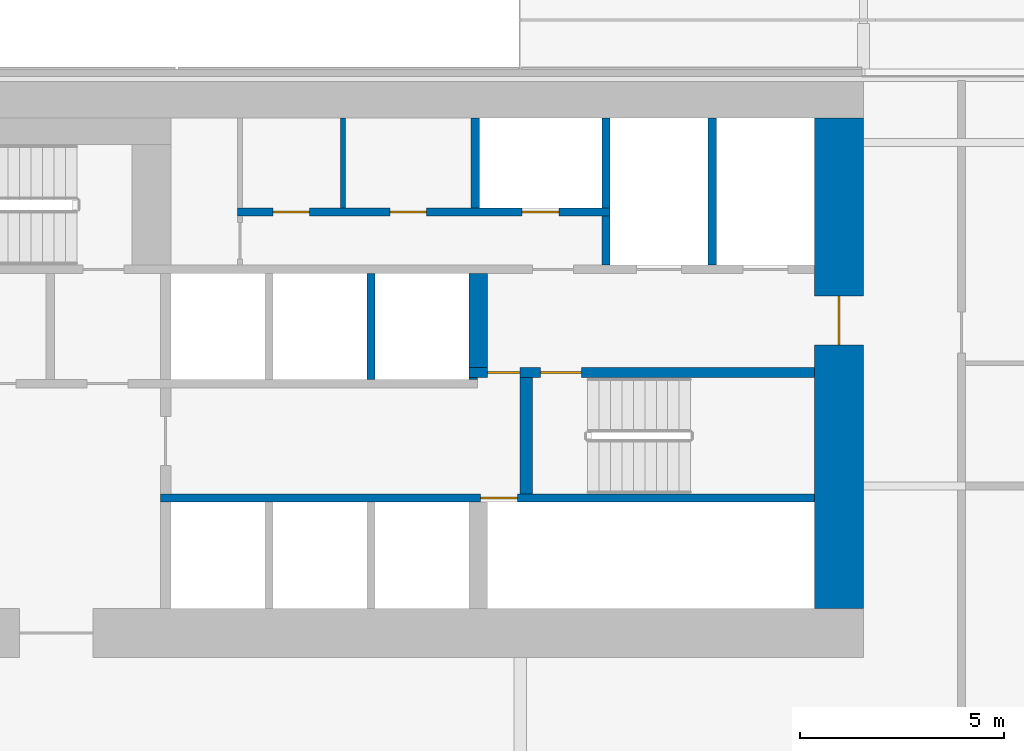
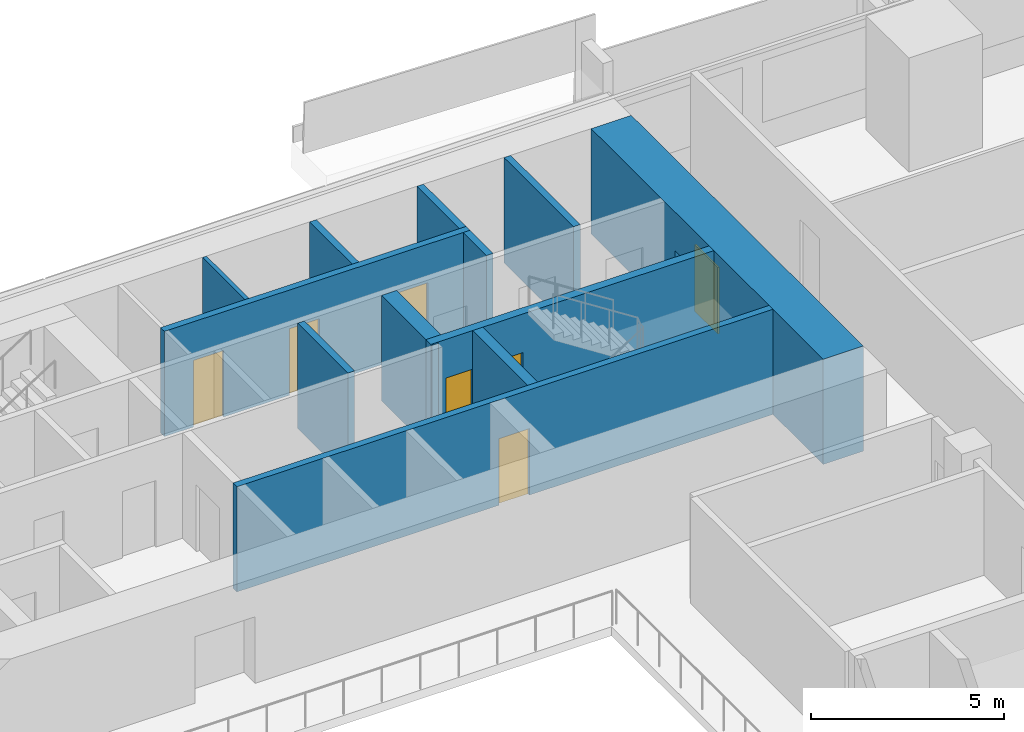
# One storey, part 22 of 30: 13 walls, 7 doors, 7 openings.
"""IFC4 building model written with IfcOpenShell, lengths in metres."""

from ifc_helpers import new_model, si_unit, direction, frame, frame_2d, origin, place, context, subcontext, project, spatial, rectangle, extrude, material, layer, layer_set, type_object, element, fill, save


model = new_model("IFC4")

# Units and contexts
model_context = context("Model", 3, precision=1e-05, world=origin(), true_north=direction((0.0, 1.0)))
body_context = subcontext(model_context, "Body", "Model", "MODEL_VIEW")
ifc_project = project(units=[si_unit("LENGTHUNIT", "METRE"), si_unit("AREAUNIT", "SQUARE_METRE"), si_unit("VOLUMEUNIT", "CUBIC_METRE"), si_unit("PLANEANGLEUNIT", "RADIAN"), si_unit("MASSUNIT", "GRAM", prefix="KILO")], contexts=[model_context])

# Site, building, storey
site_placement = place(None, origin())
site = spatial("IfcSite", under=ifc_project, at=site_placement, CompositionType="ELEMENT")
building_placement = place(site_placement, origin())
building = spatial("IfcBuilding", under=site, at=building_placement, Name="Saffron Gate Tower", CompositionType="ELEMENT")
storey_placement = place(building_placement, frame((0.0, 0.0, 37.199951171875)))
storey = spatial("IfcBuildingStorey", under=building, at=storey_placement, Name="L07", CompositionType="ELEMENT", Elevation=37.199951171875)

# Wall, opening, door
ifc_material_1 = material(Name="Concrete C70", Category="concrete")
ifc_layer_1 = layer(ifc_material_1, 1.199951171875)
ifc_layer_set_1 = layer_set([ifc_layer_1], Name="CW1 RC core wall 1200 C70")
wall_type_1 = type_object("IfcWallType", Name="CW1 RC core wall 1200 C70", PredefinedType="SOLIDWALL", material=ifc_layer_set_1)
wall_1_placement = place(storey_placement, frame((108.0, 62.39990234375, 0.0), z_axis=(0.0, 0.0, 1.0), x_axis=(0.0, 1.0, 0.0)))
wall_1 = element("IfcWall", 1, at=wall_1_placement, inside=storey, type_object=wall_type_1, Name="Wall CW1-L07-4", PredefinedType="SOLIDWALL", context=body_context, shape_type="SweptSolid", body=[
    extrude(rectangle(XDim=12.0, YDim=1.199951171875, at=frame_2d((6.0, 0.0))), origin(), (0.0, 0.0, 1.0), 3.320068359375),
])
opening_1_placement = place(wall_1_placement, frame((6.449951171875, 0.0, 0.0)))
opening_1 = element("IfcOpeningElement", 2, at=opening_1_placement, cuts=wall_1, Name="Opening CR-08", PredefinedType="OPENING", context=body_context, shape_type="SweptSolid", body=[
    extrude(rectangle(XDim=1.199951171875, YDim=2.10009765625, at=frame_2d((0.60009765625, 1.050048828125))), frame((0.0, 0.60986328125, 0.0), z_axis=(0.0, -1.0, 0.0), x_axis=(1.0, 0.0, 0.0)), (0.0, 0.0, 1.0), 1.219970703125),
])
ifc_material_2 = material(Name="Steel fire door set", Category="steel")
door_type_1 = type_object("IfcDoorType", Name="CD7 Core entrance door 1200x2100 EI 120", OperationType="NOTDEFINED", PredefinedType="DOOR", material=ifc_material_2)
door_1_placement = place(opening_1_placement, origin())
door_1 = element("IfcDoor", 3, at=door_1_placement, inside=storey, type_object=door_type_1, Name="DOOR CR-08", OperationType="SINGLE_SWING_RIGHT", OverallHeight=2.10009765625, OverallWidth=1.199951171875, PredefinedType="DOOR", context=body_context, shape_type="SweptSolid", body=[
    extrude(rectangle(XDim=1.199951171875, YDim=2.10009765625, at=frame_2d((0.60009765625, 1.050048828125))), frame((0.0, 0.02490234375, 0.0), z_axis=(0.0, -1.0, 0.0), x_axis=(1.0, 0.0, 0.0)), (0.0, 0.0, 1.0), 0.050048828125),
])
fill(opening_1, door_1)

# Wall, openings, doors
ifc_layer_2 = layer(ifc_material_1, 0.25)
ifc_layer_set_2 = layer_set([ifc_layer_2], Name="CW2 RC core wall 250 C70")
wall_type_2 = type_object("IfcWallType", Name="CW2 RC core wall 250 C70", PredefinedType="SOLIDWALL", material=ifc_layer_set_2)
wall_2_placement = place(storey_placement, frame((98.949951171875, 68.175048828125, 0.0), z_axis=(0.0, 0.0, 1.0), x_axis=(1.0, 0.0, 0.0)))
wall_2 = element("IfcWall", 4, at=wall_2_placement, inside=storey, type_object=wall_type_2, Name="Wall CW2-L07-31", PredefinedType="SOLIDWALL", context=body_context, shape_type="SweptSolid", body=[
    extrude(rectangle(XDim=8.449951171875, YDim=0.25, at=frame_2d((4.22509765625, 0.0))), origin(), (0.0, 0.0, 1.0), 3.320068359375),
])
opening_2_placement = place(wall_2_placement, frame((0.449951171875, 0.0, 0.0)))
opening_2 = element("IfcOpeningElement", 5, at=opening_2_placement, cuts=wall_2, Name="Opening CR-05", PredefinedType="OPENING", context=body_context, shape_type="SweptSolid", body=[
    extrude(rectangle(XDim=0.800048828125, YDim=2.10009765625, at=frame_2d((0.39990234375, 1.050048828125))), frame((0.0, 0.135009765625, 0.0), z_axis=(0.0, -1.0, 0.0), x_axis=(1.0, 0.0, 0.0)), (0.0, 0.0, 1.0), 0.27001953125),
])
opening_3_placement = place(wall_2_placement, frame((1.75, 0.0, 0.0)))
opening_3 = element("IfcOpeningElement", 6, at=opening_3_placement, cuts=wall_2, Name="Opening CR-16", PredefinedType="OPENING", context=body_context, shape_type="SweptSolid", body=[
    extrude(rectangle(XDim=1.0, YDim=2.10009765625, at=frame_2d((0.5, 1.050048828125))), frame((0.0, 0.135009765625, 0.0), z_axis=(0.0, -1.0, 0.0), x_axis=(1.0, 0.0, 0.0)), (0.0, 0.0, 1.0), 0.27001953125),
])
door_type_2 = type_object("IfcDoorType", Name="CD5 Stair door 1000x2100 EI 120", OperationType="NOTDEFINED", PredefinedType="DOOR", material=ifc_material_2)
door_2_placement = place(opening_3_placement, origin())
door_2 = element("IfcDoor", 7, at=door_2_placement, inside=storey, type_object=door_type_2, Name="DOOR CR-16", OperationType="SINGLE_SWING_RIGHT", OverallHeight=2.10009765625, OverallWidth=1.0, PredefinedType="DOOR", context=body_context, shape_type="SweptSolid", body=[
    extrude(rectangle(XDim=1.0, YDim=2.10009765625, at=frame_2d((0.5, 1.050048828125))), frame((0.0, 0.02490234375, 0.0), z_axis=(0.0, -1.0, 0.0), x_axis=(1.0, 0.0, 0.0)), (0.0, 0.0, 1.0), 0.050048828125),
])
fill(opening_3, door_2)
door_type_3 = type_object("IfcDoorType", Name="CD6 Lobby door 800x2100 EI 120", OperationType="NOTDEFINED", PredefinedType="DOOR", material=ifc_material_2)
door_3_placement = place(opening_2_placement, origin())
door_3 = element("IfcDoor", 8, at=door_3_placement, inside=storey, type_object=door_type_3, Name="DOOR CR-05", OperationType="SINGLE_SWING_LEFT", OverallHeight=2.10009765625, OverallWidth=0.800048828125, PredefinedType="DOOR", context=body_context, shape_type="SweptSolid", body=[
    extrude(rectangle(XDim=0.800048828125, YDim=2.10009765625, at=frame_2d((0.39990234375, 1.050048828125))), frame((0.0, 0.02490234375, 0.0), z_axis=(0.0, -1.0, 0.0), x_axis=(1.0, 0.0, 0.0)), (0.0, 0.0, 1.0), 0.050048828125),
])
fill(opening_2, door_3)

# Wall, opening, door
ifc_layer_3 = layer(ifc_material_1, 0.199951171875)
ifc_layer_set_3 = layer_set([ifc_layer_3], Name="CW3 RC core wall 200 C70")
wall_type_3 = type_object("IfcWallType", Name="CW3 RC core wall 200 C70", PredefinedType="SOLIDWALL", material=ifc_layer_set_3)
wall_3_placement = place(storey_placement, frame((91.39990234375, 65.10009765625, 0.0), z_axis=(0.0, 0.0, 1.0), x_axis=(1.0, 0.0, 0.0)))
wall_3 = element("IfcWall", 9, at=wall_3_placement, inside=storey, type_object=wall_type_3, Name="Wall CW3-L07-15", PredefinedType="SOLIDWALL", context=body_context, shape_type="SweptSolid", body=[
    extrude(rectangle(XDim=16.0, YDim=0.199951171875, at=frame_2d((8.0, 0.0))), origin(), (0.0, 0.0, 1.0), 3.320068359375),
])
opening_4_placement = place(wall_3_placement, frame((7.830078125, 0.0, 0.0)))
opening_4 = element("IfcOpeningElement", 10, at=opening_4_placement, cuts=wall_3, Name="Opening CR-48", PredefinedType="OPENING", context=body_context, shape_type="SweptSolid", body=[
    extrude(rectangle(XDim=0.89990234375, YDim=2.10009765625, at=frame_2d((0.449951171875, 1.050048828125))), frame((0.0, 0.10986328125, 0.0), z_axis=(0.0, -1.0, 0.0), x_axis=(1.0, 0.0, 0.0)), (0.0, 0.0, 1.0), 0.219970703125),
])
door_type_4 = type_object("IfcDoorType", Name="CD2 Riser door 900x2100 EI 60", OperationType="NOTDEFINED", PredefinedType="DOOR", material=ifc_material_2)
door_4_placement = place(opening_4_placement, origin())
door_4 = element("IfcDoor", 11, at=door_4_placement, inside=storey, type_object=door_type_4, Name="DOOR CR-48", OperationType="SINGLE_SWING_RIGHT", OverallHeight=2.10009765625, OverallWidth=0.89990234375, PredefinedType="DOOR", context=body_context, shape_type="SweptSolid", body=[
    extrude(rectangle(XDim=0.89990234375, YDim=2.10009765625, at=frame_2d((0.449951171875, 1.050048828125))), frame((0.0, 0.02490234375, 0.0), z_axis=(0.0, -1.0, 0.0), x_axis=(1.0, 0.0, 0.0)), (0.0, 0.0, 1.0), 0.050048828125),
])
fill(opening_4, door_4)

# Walls
wall_4_placement = place(storey_placement, frame((96.550048828125, 68.0, 0.0), z_axis=(0.0, 0.0, 1.0), x_axis=(0.0, 1.0, 0.0)))
element("IfcWall", 12, at=wall_4_placement, inside=storey, type_object=wall_type_3, Name="Wall CW3-L07-28", PredefinedType="SOLIDWALL", context=body_context, shape_type="SweptSolid", body=[
    extrude(rectangle(XDim=2.60009765625, YDim=0.199951171875, at=frame_2d((1.300048828125, 0.0))), origin(), (0.0, 0.0, 1.0), 3.320068359375),
])
wall_5_placement = place(storey_placement, frame((102.300048828125, 70.800048828125, 0.0), z_axis=(0.0, 0.0, 1.0), x_axis=(0.0, 1.0, 0.0)))
element("IfcWall", 13, at=wall_5_placement, inside=storey, type_object=wall_type_3, Name="Wall CW3-L07-41", PredefinedType="SOLIDWALL", context=body_context, shape_type="SweptSolid", body=[
    extrude(rectangle(XDim=1.199951171875, YDim=0.199951171875, at=frame_2d((0.60009765625, 0.0))), origin(), (0.0, 0.0, 1.0), 3.320068359375),
])
wall_6_placement = place(storey_placement, frame((104.89990234375, 70.800048828125, 0.0), z_axis=(0.0, 0.0, 1.0), x_axis=(0.0, 1.0, 0.0)))
element("IfcWall", 14, at=wall_6_placement, inside=storey, type_object=wall_type_3, Name="Wall CW3-L07-42", PredefinedType="SOLIDWALL", context=body_context, shape_type="SweptSolid", body=[
    extrude(rectangle(XDim=3.599853515625, YDim=0.199951171875, at=frame_2d((1.7998046875, 0.0))), origin(), (0.0, 0.0, 1.0), 3.320068359375),
])

# Wall, openings, doors
wall_7_placement = place(storey_placement, frame((93.280029296875, 72.10009765625, 0.0), z_axis=(0.0, 0.0, 1.0), x_axis=(1.0, 0.0, 0.0)))
wall_7 = element("IfcWall", 15, at=wall_7_placement, inside=storey, type_object=wall_type_3, Name="Wall CW3-L07-44", PredefinedType="SOLIDWALL", context=body_context, shape_type="SweptSolid", body=[
    extrude(rectangle(XDim=9.119873046875, YDim=0.199951171875, at=frame_2d((4.56005859375, 0.0))), origin(), (0.0, 0.0, 1.0), 3.320068359375),
])
opening_5_placement = place(wall_7_placement, frame((0.8701171875, 0.0, 0.0)))
opening_5 = element("IfcOpeningElement", 16, at=opening_5_placement, cuts=wall_7, Name="Opening CR-50", PredefinedType="OPENING", context=body_context, shape_type="SweptSolid", body=[
    extrude(rectangle(XDim=0.89990234375, YDim=2.10009765625, at=frame_2d((0.449951171875, 1.050048828125))), frame((0.0, 0.10986328125, 0.0), z_axis=(0.0, -1.0, 0.0), x_axis=(1.0, 0.0, 0.0)), (0.0, 0.0, 1.0), 0.219970703125),
])
opening_6_placement = place(wall_7_placement, frame((3.72998046875, 0.0, 0.0)))
opening_6 = element("IfcOpeningElement", 17, at=opening_6_placement, cuts=wall_7, Name="Opening CR-53", PredefinedType="OPENING", context=body_context, shape_type="SweptSolid", body=[
    extrude(rectangle(XDim=0.89990234375, YDim=2.10009765625, at=frame_2d((0.449951171875, 1.050048828125))), frame((0.0, 0.10986328125, 0.0), z_axis=(0.0, -1.0, 0.0), x_axis=(1.0, 0.0, 0.0)), (0.0, 0.0, 1.0), 0.219970703125),
])
opening_7_placement = place(wall_7_placement, frame((6.969970703125, 0.0, 0.0)))
opening_7 = element("IfcOpeningElement", 18, at=opening_7_placement, cuts=wall_7, Name="Opening CR-70", PredefinedType="OPENING", context=body_context, shape_type="SweptSolid", body=[
    extrude(rectangle(XDim=0.89990234375, YDim=2.10009765625, at=frame_2d((0.449951171875, 1.050048828125))), frame((0.0, 0.10986328125, 0.0), z_axis=(0.0, -1.0, 0.0), x_axis=(1.0, 0.0, 0.0)), (0.0, 0.0, 1.0), 0.219970703125),
])
door_5_placement = place(opening_7_placement, origin())
door_5 = element("IfcDoor", 19, at=door_5_placement, inside=storey, type_object=door_type_4, Name="DOOR CR-70", OperationType="SINGLE_SWING_LEFT", OverallHeight=2.10009765625, OverallWidth=0.89990234375, PredefinedType="DOOR", context=body_context, shape_type="SweptSolid", body=[
    extrude(rectangle(XDim=0.89990234375, YDim=2.10009765625, at=frame_2d((0.449951171875, 1.050048828125))), frame((0.0, 0.02490234375, 0.0), z_axis=(0.0, -1.0, 0.0), x_axis=(1.0, 0.0, 0.0)), (0.0, 0.0, 1.0), 0.050048828125),
])
fill(opening_7, door_5)
door_type_5 = type_object("IfcDoorType", Name="CD9 Room door 900x2100 EI 60", OperationType="NOTDEFINED", PredefinedType="DOOR", material=ifc_material_2)
door_6_placement = place(opening_5_placement, origin())
door_6 = element("IfcDoor", 20, at=door_6_placement, inside=storey, type_object=door_type_5, Name="DOOR CR-50", OperationType="SINGLE_SWING_LEFT", OverallHeight=2.10009765625, OverallWidth=0.89990234375, PredefinedType="DOOR", context=body_context, shape_type="SweptSolid", body=[
    extrude(rectangle(XDim=0.89990234375, YDim=2.10009765625, at=frame_2d((0.449951171875, 1.050048828125))), frame((0.0, 0.02490234375, 0.0), z_axis=(0.0, -1.0, 0.0), x_axis=(1.0, 0.0, 0.0)), (0.0, 0.0, 1.0), 0.050048828125),
])
fill(opening_5, door_6)
door_7_placement = place(opening_6_placement, origin())
door_7 = element("IfcDoor", 21, at=door_7_placement, inside=storey, type_object=door_type_5, Name="DOOR CR-53", OperationType="SINGLE_SWING_LEFT", OverallHeight=2.10009765625, OverallWidth=0.89990234375, PredefinedType="DOOR", context=body_context, shape_type="SweptSolid", body=[
    extrude(rectangle(XDim=0.89990234375, YDim=2.10009765625, at=frame_2d((0.449951171875, 1.050048828125))), frame((0.0, 0.02490234375, 0.0), z_axis=(0.0, -1.0, 0.0), x_axis=(1.0, 0.0, 0.0)), (0.0, 0.0, 1.0), 0.050048828125),
])
fill(opening_6, door_7)

# Walls
for number, where, z_axis, x_axis, name in (
    (22, (99.10009765625, 72.199951171875, 0.0), (0.0, 0.0, 1.0), (0.0, 1.0, 0.0), "Wall CW3-L07-51"),
    (23, (102.300048828125, 72.199951171875, 0.0), (0.0, 0.0, 1.0), (0.0, 1.0, 0.0), "Wall CW3-L07-52"),
):
    element("IfcWall", number, at=place(storey_placement, frame(where, z_axis=z_axis, x_axis=x_axis)), inside=storey, type_object=wall_type_3, Name=name, PredefinedType="SOLIDWALL", context=body_context, shape_type="SweptSolid", body=[
        extrude(rectangle(XDim=2.199951171875, YDim=0.199951171875, at=frame_2d((1.10009765625, 0.0))), origin(), (0.0, 0.0, 1.0), 3.320068359375),
    ])
ifc_layer_4 = layer(ifc_material_1, 0.449951171875)
ifc_layer_set_4 = layer_set([ifc_layer_4], Name="CW4 RC core wall 450 C70")
wall_type_4 = type_object("IfcWallType", Name="CW4 RC core wall 450 C70", PredefinedType="SOLIDWALL", material=ifc_layer_set_4)
wall_8_placement = place(storey_placement, frame((99.175048828125, 68.300048828125, 0.0), z_axis=(0.0, 0.0, 1.0), x_axis=(0.0, 1.0, 0.0)))
element("IfcWall", 24, at=wall_8_placement, inside=storey, type_object=wall_type_4, Name="Wall CW4-L07-33", PredefinedType="SOLIDWALL", context=body_context, shape_type="SweptSolid", body=[
    extrude(rectangle(XDim=2.300048828125, YDim=0.449951171875, at=frame_2d((1.14990234375, 0.0))), origin(), (0.0, 0.0, 1.0), 3.320068359375),
])
ifc_layer_5 = layer(ifc_material_1, 0.300048828125)
ifc_layer_set_5 = layer_set([ifc_layer_5], Name="CW5 RC core wall 300 C70")
wall_type_5 = type_object("IfcWallType", Name="CW5 RC core wall 300 C70", PredefinedType="SOLIDWALL", material=ifc_layer_set_5)
wall_9_placement = place(storey_placement, frame((100.35009765625, 65.199951171875, 0.0), z_axis=(0.0, 0.0, 1.0), x_axis=(0.0, 1.0, 0.0)))
element("IfcWall", 25, at=wall_9_placement, inside=storey, type_object=wall_type_5, Name="Wall CW5-L07-19", PredefinedType="SOLIDWALL", context=body_context, shape_type="SweptSolid", body=[
    extrude(rectangle(XDim=2.85009765625, YDim=0.300048828125, at=frame_2d((1.425048828125, 0.0))), origin(), (0.0, 0.0, 1.0), 3.320068359375),
])
ifc_layer_6 = layer(ifc_material_1, 0.050048828125)
ifc_layer_set_6 = layer_set([ifc_layer_6], Name="CW6 RC core wall 50 C70")
wall_type_6 = type_object("IfcWallType", Name="CW6 RC core wall 50 C70", PredefinedType="SOLIDWALL", material=ifc_layer_set_6)
wall_10_placement = place(storey_placement, frame((98.949951171875, 68.02490234375, 0.0), z_axis=(0.0, 0.0, 1.0), x_axis=(1.0, 0.0, 0.0)))
element("IfcWall", 26, at=wall_10_placement, inside=storey, type_object=wall_type_6, Name="Wall CW6-L07-29", PredefinedType="SOLIDWALL", context=body_context, shape_type="SweptSolid", body=[
    extrude(rectangle(XDim=0.199951171875, YDim=0.050048828125, at=frame_2d((0.10009765625, 0.0))), origin(), (0.0, 0.0, 1.0), 3.320068359375),
])
ifc_material_3 = material(Name="Gypsum board partition on steel studs", Category="steel")
ifc_layer_7 = layer(ifc_material_3, 0.1201171875)
ifc_layer_set_7 = layer_set([ifc_layer_7], Name="CW8 Core partition 120")
wall_type_7 = type_object("IfcWallType", Name="CW8 Core partition 120", PredefinedType="PARTITIONING", material=ifc_layer_set_7)
wall_11_placement = place(storey_placement, frame((95.860107421875, 72.199951171875, 0.0), z_axis=(0.0, 0.0, 1.0), x_axis=(0.0, 1.0, 0.0)))
element("IfcWall", 27, at=wall_11_placement, inside=storey, type_object=wall_type_7, Name="Wall CW8-L07-50", PredefinedType="PARTITIONING", context=body_context, shape_type="SweptSolid", body=[
    extrude(rectangle(XDim=2.199951171875, YDim=0.1201171875, at=frame_2d((1.10009765625, 0.0))), origin(), (0.0, 0.0, 1.0), 3.320068359375),
])

save(model, "model.ifc")
